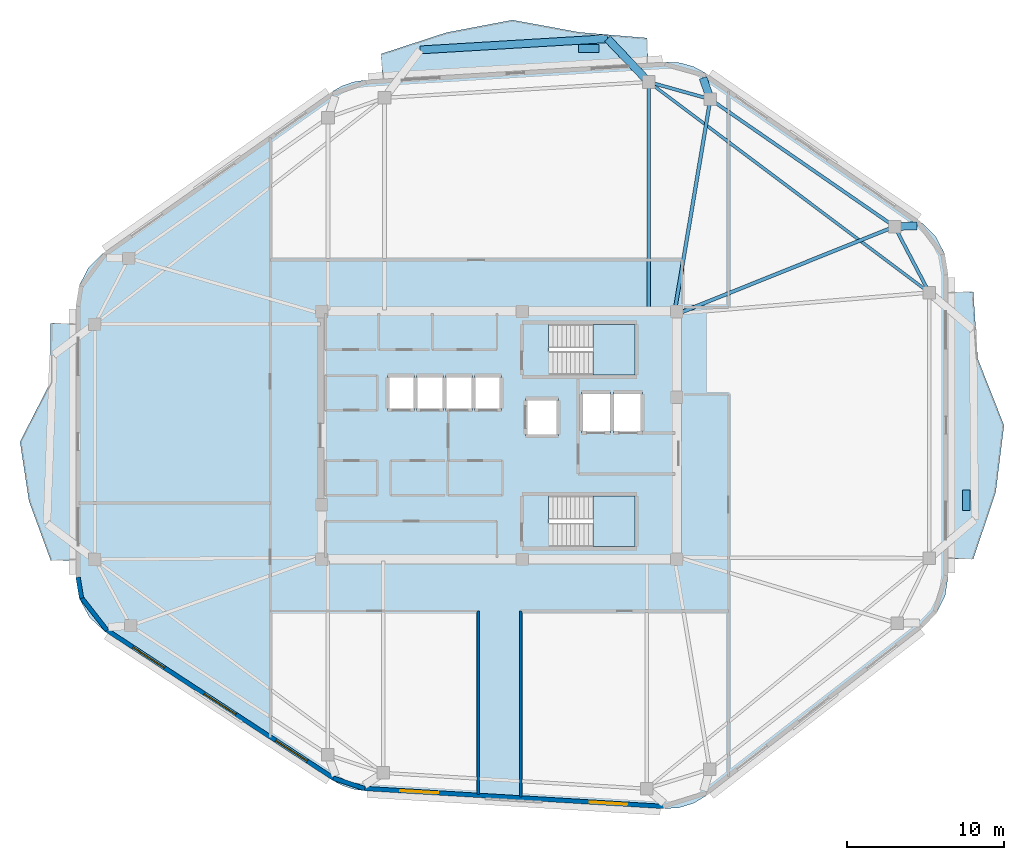
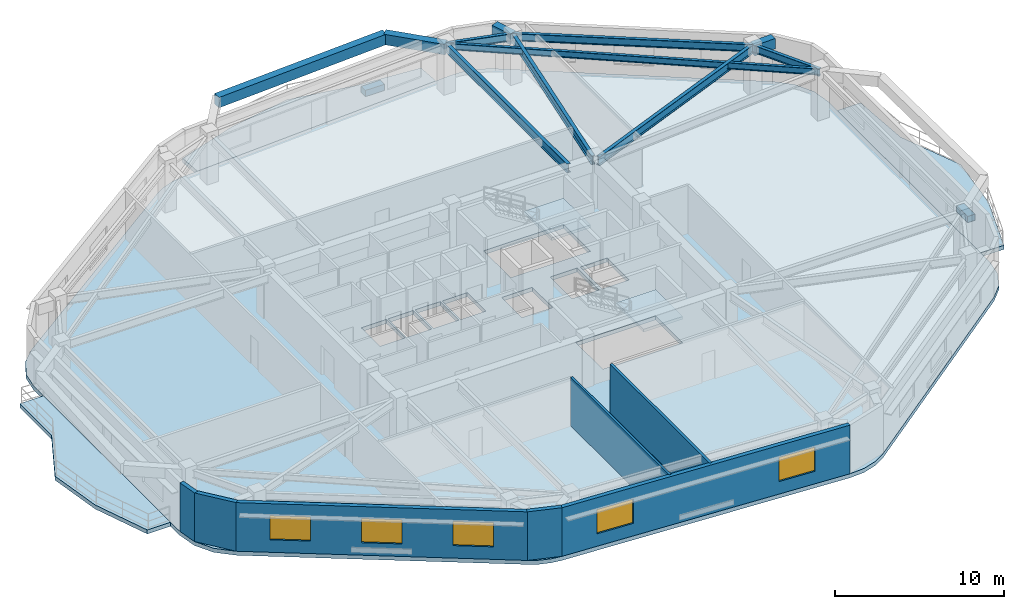
# One storey, part 2 of 9: 11 beams, 7 walls, 6 slabs, 5 windows, 2 plates, 5 openings, 2 elements without a shape of their own.
"""IFC4 building model written with IfcOpenShell, lengths in metres."""

from ifc_helpers import new_model, si_unit, direction, frame, frame_2d, origin, origin_2d, place, context, subcontext, project, spatial, polyline, rectangle, i_section, outline, extrude, material, layer, layer_set, material_profile, profile_set, type_object, element, fill, aggregate, save


model = new_model("IFC4")

# Units and contexts
model_context = context("Model", 3, precision=1e-05, world=origin(), true_north=direction((0.0, 1.0)))
body_context = subcontext(model_context, "Body", "Model", "MODEL_VIEW")
ifc_project = project(units=[si_unit("LENGTHUNIT", "METRE"), si_unit("AREAUNIT", "SQUARE_METRE"), si_unit("VOLUMEUNIT", "CUBIC_METRE"), si_unit("PLANEANGLEUNIT", "RADIAN"), si_unit("MASSUNIT", "GRAM", prefix="KILO")], contexts=[model_context])

# Site, building, storey
site_placement = place(None, origin())
site = spatial("IfcSite", under=ifc_project, at=site_placement, CompositionType="ELEMENT")
building_placement = place(site_placement, origin())
building = spatial("IfcBuilding", under=site, at=building_placement, Name="Zulverin Broadcast Headquarters", CompositionType="ELEMENT")
storey_placement = place(building_placement, frame((0.0, 0.0, 244.0)))
storey = spatial("IfcBuildingStorey", under=building, at=storey_placement, Name="L62", CompositionType="ELEMENT", Elevation=244.0)

# Beams
ifc_material_1 = material(Name="Concrete C40/50", Category="concrete")
ifc_material_profile_1 = material_profile(ifc_material_1, rectangle(XDim=0.5, YDim=0.75, at=origin_2d()), Name="Concrete C40/50", Category="concrete")
ifc_profile_set_1 = profile_set([ifc_material_profile_1], Name="Concrete C40/50")
beam_type_1 = type_object("IfcBeamType", Name="BM-RC-500x750", PredefinedType="BEAM", material=ifc_profile_set_1)
for number, where, z_axis, x_axis, name in (
    (1, (62.102783203125, 38.465087890625, 3.135009765625), (0.99949018153, 0.031927684309, 0.0), (-0.031927684309, 0.99949018153, 0.0), "L63 Plate Overhang Back-Spanned Beam OVR-07"),
    (2, (50.39794921875, 46.554443359375, 3.135009765625), (-0.323542873341, 0.946213511376, 0.0), (-0.946213511376, -0.323542873341, 0.0), "L63 Plate Overhang Back-Spanned Beam OVR-08"),
):
    element("IfcBeam", number, at=place(storey_placement, frame(where, z_axis=z_axis, x_axis=x_axis)), inside=storey, type_object=beam_type_1, Name=name, PredefinedType="BEAM", context=body_context, shape_type="SweptSolid", body=[
        extrude(rectangle(XDim=0.5, YDim=0.75, at=origin_2d()), origin(), (0.0, 0.0, 1.0), 1.429931640625),
    ])
beam_1_placement = place(storey_placement, frame((46.4814453125, 47.6484375, 3.135009765625), z_axis=(-0.689382393643, 0.724397622397, 0.0), x_axis=(-0.724397622397, -0.689382393643, 0.0)))
element("IfcBeam", 3, at=beam_1_placement, inside=storey, type_object=beam_type_1, Name="L63 Balcony Column-Framed Cantilever BAL_N-1", PredefinedType="BEAM", context=body_context, shape_type="SweptSolid", body=[
    extrude(rectangle(XDim=0.5, YDim=0.75, at=origin_2d()), origin(), (0.0, 0.0, 1.0), 3.800048828125),
])
beam_2_placement = place(storey_placement, frame((43.86181640625, 50.401123046875, 3.135009765625), z_axis=(-0.998203619849, -0.059912714185, 0.0), x_axis=(0.059912714185, -0.998203619849, 0.0)))
element("IfcBeam", 4, at=beam_2_placement, inside=storey, type_object=beam_type_1, Name="L63 Balcony Outer Edge Trimmer Beam BAL_N", PredefinedType="BEAM", context=body_context, shape_type="SweptSolid", body=[
    extrude(rectangle(XDim=0.5, YDim=0.75, at=origin_2d()), origin(), (0.0, 0.0, 1.0), 11.9111328125),
])
ifc_material_2 = material(Name="Structural steel S355JR", Category="steel")
ifc_material_profile_2 = material_profile(ifc_material_2, i_section(OverallWidth=0.19287109375, OverallDepth=0.46728515625, WebThickness=0.011474609375, FlangeThickness=0.01953125, at=origin_2d()), Name="Structural steel S355JR", Category="steel")
ifc_profile_set_2 = profile_set([ifc_material_profile_2], Name="Structural steel S355JR")
beam_type_2 = type_object("IfcBeamType", Name="BM-UB-457", PredefinedType="JOIST", material=ifc_profile_set_2)
beam_3_placement = place(storey_placement, frame((64.300048828125, 34.275634765625, 3.2763671875), z_axis=(-0.799809280949, 0.600254207905, 0.0), x_axis=(-0.600254207905, -0.799809280949, 0.0)))
element("IfcBeam", 5, at=beam_3_placement, inside=storey, type_object=beam_type_2, Name="L62 Chordal Floor Joist J-02", PredefinedType="JOIST", context=body_context, shape_type="SweptSolid", body=[
    extrude(i_section(OverallWidth=0.19287109375, OverallDepth=0.46728515625, WebThickness=0.011474609375, FlangeThickness=0.01953125, at=origin_2d()), origin(), (0.0, 0.0, 1.0), 22.278564453125),
])
ifc_material_profile_3 = material_profile(ifc_material_2, i_section(OverallWidth=0.2119140625, OverallDepth=0.54443359375, WebThickness=0.0126953125, FlangeThickness=0.021240234375, at=origin_2d()), Name="Structural steel S355JR", Category="steel")
ifc_profile_set_3 = profile_set([ifc_material_profile_3], Name="Structural steel S355JR")
beam_type_3 = type_object("IfcBeamType", Name="BM-UB-533", PredefinedType="SPANDREL", material=ifc_profile_set_3)
beam_4_placement = place(storey_placement, frame((64.300048828125, 34.275634765625, 3.23779296875), z_axis=(-0.464469748171, 0.885588986513, 0.0), x_axis=(-0.885588986513, -0.464469748171, 0.0)))
element("IfcBeam", 6, at=beam_4_placement, inside=storey, type_object=beam_type_3, Name="L62 Perimeter Spandrel Beam SP-06", PredefinedType="SPANDREL", context=body_context, shape_type="SweptSolid", body=[
    extrude(i_section(OverallWidth=0.2119140625, OverallDepth=0.54443359375, WebThickness=0.0126953125, FlangeThickness=0.021240234375, at=origin_2d()), origin(), (0.0, 0.0, 1.0), 4.730712890625),
])
beam_5_placement = place(storey_placement, frame((62.102783203125, 38.465087890625, 3.23779296875), z_axis=(-0.822652126292, 0.568545054597, 0.0), x_axis=(-0.568545054597, -0.822652126292, 0.0)))
element("IfcBeam", 7, at=beam_5_placement, inside=storey, type_object=beam_type_3, Name="L62 Perimeter Spandrel Beam SP-07", PredefinedType="SPANDREL", context=body_context, shape_type="SweptSolid", body=[
    extrude(i_section(OverallWidth=0.2119140625, OverallDepth=0.54443359375, WebThickness=0.0126953125, FlangeThickness=0.021240234375, at=origin_2d()), origin(), (0.0, 0.0, 1.0), 14.228271484375),
])
beam_6_placement = place(storey_placement, frame((50.39794921875, 46.554443359375, 3.23779296875), z_axis=(-0.963131566005, 0.26903082828, 0.0), x_axis=(-0.26903082828, -0.963131566005, 0.0)))
element("IfcBeam", 8, at=beam_6_placement, inside=storey, type_object=beam_type_3, Name="L62 Perimeter Spandrel Beam SP-08", PredefinedType="SPANDREL", context=body_context, shape_type="SweptSolid", body=[
    extrude(i_section(OverallWidth=0.2119140625, OverallDepth=0.54443359375, WebThickness=0.0126953125, FlangeThickness=0.021240234375, at=origin_2d()), origin(), (0.0, 0.0, 1.0), 4.06640625),
])
ifc_material_profile_4 = material_profile(ifc_material_2, i_section(OverallWidth=0.230224609375, OverallDepth=0.6171875, WebThickness=0.01318359375, FlangeThickness=0.022216796875, at=origin_2d()), Name="Structural steel S355JR", Category="steel")
ifc_profile_set_4 = profile_set([ifc_material_profile_4], Name="Structural steel S355JR")
beam_type_4 = type_object("IfcBeamType", Name="BM-UB-610", PredefinedType="BEAM", material=ifc_profile_set_4)
beam_7_placement = place(storey_placement, frame((48.375, 32.949951171875, 3.201416015625), z_axis=(0.927915690744, 0.37279011638, 0.0), x_axis=(-0.37279011638, 0.927915690744, 0.0)))
element("IfcBeam", 9, at=beam_7_placement, inside=storey, type_object=beam_type_4, Name="L62 Radial Primary Floor Beam RB-07", PredefinedType="BEAM", context=body_context, shape_type="SweptSolid", body=[
    extrude(i_section(OverallWidth=0.230224609375, OverallDepth=0.6171875, WebThickness=0.01318359375, FlangeThickness=0.022216796875, at=origin_2d()), origin(), (0.0, 0.0, 1.0), 14.794189453125),
])
beam_8_placement = place(storey_placement, frame((48.14990234375, 33.175048828125, 3.201416015625), z_axis=(0.165700339104, 0.986176149388, 0.0), x_axis=(-0.986176149388, 0.165700339104, 0.0)))
element("IfcBeam", 10, at=beam_8_placement, inside=storey, type_object=beam_type_4, Name="L62 Radial Primary Floor Beam RB-08", PredefinedType="BEAM", context=body_context, shape_type="SweptSolid", body=[
    extrude(i_section(OverallWidth=0.230224609375, OverallDepth=0.6171875, WebThickness=0.01318359375, FlangeThickness=0.022216796875, at=origin_2d()), origin(), (0.0, 0.0, 1.0), 13.56689453125),
])
beam_9_placement = place(storey_placement, frame((46.4814453125, 33.175048828125, 3.201416015625), z_axis=(0.0, 1.0, 0.0), x_axis=(-1.0, 0.0, 0.0)))
element("IfcBeam", 11, at=beam_9_placement, inside=storey, type_object=beam_type_4, Name="L62 Radial Primary Floor Beam RB-09", PredefinedType="BEAM", context=body_context, shape_type="SweptSolid", body=[
    extrude(i_section(OverallWidth=0.230224609375, OverallDepth=0.6171875, WebThickness=0.01318359375, FlangeThickness=0.022216796875, at=origin_2d()), origin(), (0.0, 0.0, 1.0), 14.473388671875),
])

# Plates
ifc_material_3 = material(Name="Precast concrete C45/55", Category="concrete")
ifc_layer_1 = layer(ifc_material_3, 0.449951171875, Name="Precast concrete C45/55", Category="concrete")
ifc_layer_set_1 = layer_set([ifc_layer_1], Name="Precast concrete C45/55")
plate_type = type_object("IfcPlateType", Name="PT-01_PRECAST_GFRC_TREE_PLANTER", PredefinedType="USERDEFINED", material=ifc_layer_set_1)
for number, where, z_axis, x_axis, name in (
    (12, (66.64990234375, 21.0908203125, -0.0048828125), (0.0, 0.0, 1.0), (0.0, 1.0, 0.0), "L62 Precast GFRC Tree Planter BAL_E"),
    (13, (42.6767578125, 49.7744140625, -0.0048828125), (0.0, 0.0, 1.0), (1.0, 0.0, 0.0), "L62 Precast GFRC Tree Planter BAL_N"),
):
    element("IfcPlate", number, at=place(storey_placement, frame(where, z_axis=z_axis, x_axis=x_axis)), inside=storey, type_object=plate_type, Name=name, ObjectType="PLANTER", PredefinedType="USERDEFINED", context=body_context, shape_type="SweptSolid", body=[
        extrude(rectangle(XDim=1.300048828125, YDim=0.5, at=origin_2d()), origin(), (0.0, 0.0, 1.0), 0.449951171875),
    ])

# Slabs
ifc_layer_2 = layer(ifc_material_1, 0.2900390625, Name="Concrete C40/50", Category="concrete")
ifc_layer_set_2 = layer_set([ifc_layer_2], Name="Concrete C40/50")
slab_type_1 = type_object("IfcSlabType", Name="SLB-BAL-290", PredefinedType="FLOOR", material=ifc_layer_set_2)
slab_1_placement = place(storey_placement, frame((0.0, 0.0, -0.2900390625)))
element("IfcSlab", 14, at=slab_1_placement, inside=storey, type_object=slab_type_1, Name="L62 Cantilevered Planted Balcony Slab BAL_E", PredefinedType="FLOOR", context=body_context, shape_type="SweptSolid", body=[
    extrude(outline(polyline([(65.5, 34.32568359375), (65.5, 17.357666015625), (67.10009765625, 17.357666015625), (68.52392578125, 21.599609375), (69.050048828125, 25.841796875), (67.37744140625, 30.083740234375), (67.10009765625, 34.32568359375), (65.5, 34.32568359375)])), origin(), (0.0, 0.0, 1.0), 0.2900390625),
])
slab_2_placement = place(storey_placement, frame((0.0, 0.0, -0.2900390625)))
element("IfcSlab", 15, at=slab_2_placement, inside=storey, type_object=slab_type_1, Name="L62 Cantilevered Planted Balcony Slab BAL_N", PredefinedType="FLOOR", context=body_context, shape_type="SweptSolid", body=[
    extrude(outline(polyline([(29.5791015625, 47.835693359375), (46.45947265625, 48.849365234375), (46.363525390625, 50.4462890625), (42.106689453125, 50.804443359375), (37.824462890625, 51.58740234375), (33.636962890625, 50.789794921875), (29.483154296875, 49.43310546875), (29.5791015625, 47.835693359375)])), origin(), (0.0, 0.0, 1.0), 0.2900390625),
])
slab_3_placement = place(storey_placement, frame((0.0, 0.0, -0.2900390625)))
element("IfcSlab", 16, at=slab_3_placement, inside=storey, type_object=slab_type_1, Name="L62 Cantilevered Planted Balcony Slab BAL_W", PredefinedType="FLOOR", context=body_context, shape_type="SweptSolid", body=[
    extrude(outline(polyline([(10.10009765625, 17.2685546875), (10.10009765625, 32.3251953125), (8.5, 32.3251953125), (8.48193359375, 28.56103515625), (6.550048828125, 24.797119140625), (7.119384765625, 21.03271484375), (8.5, 17.2685546875), (10.10009765625, 17.2685546875)])), origin(), (0.0, 0.0, 1.0), 0.2900390625),
])

# Stair, slab
stair_type = type_object("IfcStairType", Name="ST-CORE-1500", PredefinedType="HALF_TURN_STAIR", material=ifc_material_1)
stair_1_placement = place(storey_placement, origin())
stair_1 = element("IfcStair", 17, at=stair_1_placement, inside=storey, type_object=stair_type, Name="L62 Core Exit Stair ST-1", PredefinedType="HALF_TURN_STAIR")
ifc_layer_3 = layer(ifc_material_1, 0.199951171875, Name="Concrete C40/50", Category="concrete")
ifc_layer_set_3 = layer_set([ifc_layer_3], Name="Concrete C40/50")
slab_type_2 = type_object("IfcSlabType", Name="SLB-ST-LND200", PredefinedType="LANDING", material=ifc_layer_set_3)
slab_4_placement = place(storey_placement, frame((0.0, 0.0, 1.699951171875)))
slab_4 = element("IfcSlab", 18, at=slab_4_placement, type_object=slab_type_2, Name="ST-1 landing 1", PredefinedType="LANDING", context=body_context, shape_type="SweptSolid", body=[
    extrude(outline(polyline([(42.929931640625, 29.050048828125), (45.60009765625, 29.050048828125), (45.60009765625, 32.25), (42.929931640625, 32.25), (42.929931640625, 29.050048828125)])), origin(), (0.0, 0.0, 1.0), 0.199951171875),
])
aggregate(stair_1, [slab_4])

stair_2_placement = place(storey_placement, origin())
stair_2 = element("IfcStair", 19, at=stair_2_placement, inside=storey, type_object=stair_type, Name="L62 Core Exit Stair ST-2", PredefinedType="HALF_TURN_STAIR")
slab_5_placement = place(storey_placement, frame((0.0, 0.0, 1.699951171875)))
slab_5 = element("IfcSlab", 20, at=slab_5_placement, type_object=slab_type_2, Name="ST-2 landing 1", PredefinedType="LANDING", context=body_context, shape_type="SweptSolid", body=[
    extrude(outline(polyline([(42.929931640625, 18.14990234375), (45.60009765625, 18.14990234375), (45.60009765625, 21.35009765625), (42.929931640625, 21.35009765625), (42.929931640625, 18.14990234375)])), origin(), (0.0, 0.0, 1.0), 0.199951171875),
])
aggregate(stair_2, [slab_5])

# Slab
ifc_layer_4 = layer(ifc_material_1, 0.2900390625, Name="Concrete C40/50", Category="concrete")
ifc_layer_set_4 = layer_set([ifc_layer_4], Name="Concrete C40/50")
slab_type_3 = type_object("IfcSlabType", Name="SLB-TWR-290", PredefinedType="FLOOR", material=ifc_layer_set_4)
slab_6_placement = place(storey_placement, frame((0.0, 0.0, -0.2900390625)))
element("IfcSlab", 21, at=slab_6_placement, inside=storey, type_object=slab_type_3, Name="L62 Main Structural Floor Slab", PredefinedType="FLOOR", context=body_context, shape_type="SweptSolid", body=[
    extrude(outline(polyline([(26.405029296875, 3.295166015625), (27.029296875, 2.96044921875), (27.70166015625, 2.738037109375), (28.402099609375, 2.634765625), (47.427490234375, 1.49267578125), (48.40869140625, 1.5517578125), (49.347412109375, 1.842529296875), (50.18994140625, 2.348388671875), (63.91650390625, 13.02099609375), (64.7685546875, 13.92041015625), (65.312744140625, 15.033203125), (65.5, 16.2578125), (65.5, 35.42578125), (65.289306640625, 36.723388671875), (64.6787109375, 37.887451171875), (63.73095703125, 38.798583984375), (50.13427734375, 48.1953125), (49.3359375, 48.625244140625), (48.462890625, 48.869140625), (47.557373046875, 48.915283203125), (28.48095703125, 47.77001953125), (27.73291015625, 47.655029296875), (27.0185546875, 47.404541015625), (26.362548828125, 47.027099609375), (11.8359375, 36.775146484375), (10.9052734375, 35.865478515625), (10.306396484375, 34.710205078125), (10.10009765625, 33.42529296875), (10.10009765625, 16.168701171875), (10.322021484375, 14.83740234375), (10.96435546875, 13.650390625), (11.957275390625, 12.736328125), (26.405029296875, 3.295166015625)]), holes=[polyline([(40.155029296875, 30.75), (40.130126953125, 30.75), (40.130126953125, 32.25), (45.60009765625, 32.25), (45.60009765625, 29.050048828125), (40.155029296875, 29.050048828125), (40.155029296875, 30.75)]), polyline([(40.155029296875, 19.85009765625), (40.130126953125, 19.85009765625), (40.130126953125, 21.35009765625), (45.60009765625, 21.35009765625), (45.60009765625, 18.14990234375), (40.155029296875, 18.14990234375), (40.155029296875, 19.85009765625)]), polyline([(29.89990234375, 26.800048828125), (31.6201171875, 26.800048828125), (31.6201171875, 29.0), (29.89990234375, 29.0), (29.89990234375, 26.800048828125)]), polyline([(31.739990234375, 26.800048828125), (33.4599609375, 26.800048828125), (33.4599609375, 29.0), (31.739990234375, 29.0), (31.739990234375, 26.800048828125)]), polyline([(33.580078125, 26.800048828125), (35.300048828125, 26.800048828125), (35.300048828125, 29.0), (33.580078125, 29.0), (33.580078125, 26.800048828125)]), polyline([(35.419921875, 26.800048828125), (37.139892578125, 26.800048828125), (37.139892578125, 29.0), (35.419921875, 29.0), (35.419921875, 26.800048828125)]), polyline([(42.199951171875, 25.35009765625), (44.050048828125, 25.35009765625), (44.050048828125, 27.949951171875), (42.199951171875, 27.949951171875), (42.199951171875, 25.35009765625)]), polyline([(44.25, 25.35009765625), (46.10009765625, 25.35009765625), (46.10009765625, 27.949951171875), (44.25, 27.949951171875), (44.25, 25.35009765625)]), polyline([(38.64990234375, 25.14990234375), (40.75, 25.14990234375), (40.75, 27.550048828125), (38.64990234375, 27.550048828125), (38.64990234375, 25.14990234375)])]), origin(), (0.0, 0.0, 1.0), 0.2900390625),
])

# Wall, openings, windows
ifc_material_4 = material(Name="Insulated pale-metal clad concrete spandrel C40/50", Category="concrete")
ifc_layer_5 = layer(ifc_material_4, 0.280029296875, Name="Insulated pale-metal clad concrete spandrel C40/50", Category="concrete")
ifc_layer_set_5 = layer_set([ifc_layer_5], Name="Insulated pale-metal clad concrete spandrel C40/50")
wall_type_1 = type_object("IfcWallType", Name="WL-EXT-280", PredefinedType="STANDARD", material=ifc_layer_set_5)
wall_1_placement = place(storey_placement, frame((28.41064453125, 2.7744140625, 0.0), z_axis=(0.0, 0.0, 1.0), x_axis=(0.998203068368, -0.059921901676, 0.0)))
wall_1 = element("IfcWall", 22, at=wall_1_placement, inside=storey, type_object=wall_type_1, Name="L62 Pale-Metal Clad Spandrel Wall 1", PredefinedType="STANDARD", context=body_context, shape_type="SweptSolid", body=[
    extrude(rectangle(XDim=19.0595703125, YDim=0.280029296875, at=frame_2d((9.52978515625, 0.0))), origin(), (0.0, 0.0, 1.0), 3.510009765625),
])
opening_1_placement = place(wall_1_placement, frame((2.309814453125, 0.0, 0.89990234375)))
opening_1 = element("IfcOpeningElement", 23, at=opening_1_placement, cuts=wall_1, Name="Opening W-L62-E11", PredefinedType="OPENING", context=body_context, shape_type="SweptSolid", body=[
    extrude(rectangle(XDim=2.39990234375, YDim=1.75, at=frame_2d((1.199951171875, 0.875))), frame((0.0, 0.14990234375, 0.0), z_axis=(0.0, -1.0, 0.0), x_axis=(1.0, 0.0, 0.0)), (0.0, 0.0, 1.0), 0.300048828125),
])
opening_2_placement = place(wall_1_placement, frame((14.349609375, 0.0, 0.89990234375)))
opening_2 = element("IfcOpeningElement", 24, at=opening_2_placement, cuts=wall_1, Name="Opening W-L62-E12", PredefinedType="OPENING", context=body_context, shape_type="SweptSolid", body=[
    extrude(rectangle(XDim=2.39990234375, YDim=1.75, at=frame_2d((1.199951171875, 0.875))), frame((0.0, 0.14990234375, 0.0), z_axis=(0.0, -1.0, 0.0), x_axis=(1.0, 0.0, 0.0)), (0.0, 0.0, 1.0), 0.300048828125),
])
ifc_material_5 = material(Name="Pale anodized aluminium frame with solar-control low-E double glazing", Category="aluminium")
window_type = type_object("IfcWindowType", Name="WIN-RIB-2400", PartitioningType="SINGLE_PANEL", PredefinedType="WINDOW", material=ifc_material_5)
window_1_placement = place(opening_1_placement, origin())
window_1 = element("IfcWindow", 25, at=window_1_placement, inside=storey, type_object=window_type, Name="L62 Ribbon Glazing Window 1 1", OverallHeight=1.75, OverallWidth=2.39990234375, PartitioningType="SINGLE_PANEL", PredefinedType="WINDOW", context=body_context, shape_type="SweptSolid", body=[
    extrude(rectangle(XDim=2.39990234375, YDim=1.75, at=frame_2d((1.199951171875, 0.875))), frame((0.0, 0.030029296875, 0.0), z_axis=(0.0, -1.0, 0.0), x_axis=(1.0, 0.0, 0.0)), (0.0, 0.0, 1.0), 0.06005859375),
])
fill(opening_1, window_1)
window_2_placement = place(opening_2_placement, origin())
window_2 = element("IfcWindow", 26, at=window_2_placement, inside=storey, type_object=window_type, Name="L62 Ribbon Glazing Window 1 2", OverallHeight=1.75, OverallWidth=2.39990234375, PartitioningType="SINGLE_PANEL", PredefinedType="WINDOW", context=body_context, shape_type="SweptSolid", body=[
    extrude(rectangle(XDim=2.39990234375, YDim=1.75, at=frame_2d((1.199951171875, 0.875))), frame((0.0, 0.030029296875, 0.0), z_axis=(0.0, -1.0, 0.0), x_axis=(1.0, 0.0, 0.0)), (0.0, 0.0, 1.0), 0.06005859375),
])
fill(opening_2, window_2)

wall_2_placement = place(storey_placement, frame((12.03369140625, 12.853515625, 0.0), z_axis=(0.0, 0.0, 1.0), x_axis=(0.837118352984, -0.547021812269, 0.0)))
wall_2 = element("IfcWall", 27, at=wall_2_placement, inside=storey, type_object=wall_type_1, Name="L62 Pale-Metal Clad Spandrel Wall 8", PredefinedType="STANDARD", context=body_context, shape_type="SweptSolid", body=[
    extrude(rectangle(XDim=17.25927734375, YDim=0.280029296875, at=frame_2d((8.629638671875, 0.0))), origin(), (0.0, 0.0, 1.0), 3.510009765625),
])
opening_3_placement = place(wall_2_placement, frame((2.010009765625, 0.0, 0.89990234375)))
opening_3 = element("IfcOpeningElement", 28, at=opening_3_placement, cuts=wall_2, Name="Opening W-L62-E81", PredefinedType="OPENING", context=body_context, shape_type="SweptSolid", body=[
    extrude(rectangle(XDim=2.39990234375, YDim=1.75, at=frame_2d((1.199951171875, 0.875))), frame((0.0, 0.14990234375, 0.0), z_axis=(0.0, -1.0, 0.0), x_axis=(1.0, 0.0, 0.0)), (0.0, 0.0, 1.0), 0.300048828125),
])
opening_4_placement = place(wall_2_placement, frame((7.4296875, 0.0, 0.89990234375)))
opening_4 = element("IfcOpeningElement", 29, at=opening_4_placement, cuts=wall_2, Name="Opening W-L62-E82", PredefinedType="OPENING", context=body_context, shape_type="SweptSolid", body=[
    extrude(rectangle(XDim=2.39990234375, YDim=1.75, at=frame_2d((1.199951171875, 0.875))), frame((0.0, 0.14990234375, 0.0), z_axis=(0.0, -1.0, 0.0), x_axis=(1.0, 0.0, 0.0)), (0.0, 0.0, 1.0), 0.300048828125),
])
opening_5_placement = place(wall_2_placement, frame((12.849365234375, 0.0, 0.89990234375)))
opening_5 = element("IfcOpeningElement", 30, at=opening_5_placement, cuts=wall_2, Name="Opening W-L62-E83", PredefinedType="OPENING", context=body_context, shape_type="SweptSolid", body=[
    extrude(rectangle(XDim=2.39990234375, YDim=1.75, at=frame_2d((1.199951171875, 0.875))), frame((0.0, 0.14990234375, 0.0), z_axis=(0.0, -1.0, 0.0), x_axis=(1.0, 0.0, 0.0)), (0.0, 0.0, 1.0), 0.300048828125),
])
window_3_placement = place(opening_3_placement, origin())
window_3 = element("IfcWindow", 31, at=window_3_placement, inside=storey, type_object=window_type, Name="L62 Ribbon Glazing Window 8 1", OverallHeight=1.75, OverallWidth=2.39990234375, PartitioningType="SINGLE_PANEL", PredefinedType="WINDOW", context=body_context, shape_type="SweptSolid", body=[
    extrude(rectangle(XDim=2.39990234375, YDim=1.75, at=frame_2d((1.199951171875, 0.875))), frame((0.0, 0.030029296875, 0.0), z_axis=(0.0, -1.0, 0.0), x_axis=(1.0, 0.0, 0.0)), (0.0, 0.0, 1.0), 0.06005859375),
])
fill(opening_3, window_3)
window_4_placement = place(opening_4_placement, origin())
window_4 = element("IfcWindow", 32, at=window_4_placement, inside=storey, type_object=window_type, Name="L62 Ribbon Glazing Window 8 2", OverallHeight=1.75, OverallWidth=2.39990234375, PartitioningType="SINGLE_PANEL", PredefinedType="WINDOW", context=body_context, shape_type="SweptSolid", body=[
    extrude(rectangle(XDim=2.39990234375, YDim=1.75, at=frame_2d((1.199951171875, 0.875))), frame((0.0, 0.030029296875, 0.0), z_axis=(0.0, -1.0, 0.0), x_axis=(1.0, 0.0, 0.0)), (0.0, 0.0, 1.0), 0.06005859375),
])
fill(opening_4, window_4)
window_5_placement = place(opening_5_placement, origin())
window_5 = element("IfcWindow", 33, at=window_5_placement, inside=storey, type_object=window_type, Name="L62 Ribbon Glazing Window 8 3", OverallHeight=1.75, OverallWidth=2.39990234375, PartitioningType="SINGLE_PANEL", PredefinedType="WINDOW", context=body_context, shape_type="SweptSolid", body=[
    extrude(rectangle(XDim=2.39990234375, YDim=1.75, at=frame_2d((1.199951171875, 0.875))), frame((0.0, 0.030029296875, 0.0), z_axis=(0.0, -1.0, 0.0), x_axis=(1.0, 0.0, 0.0)), (0.0, 0.0, 1.0), 0.06005859375),
])
fill(opening_5, window_5)

# Walls
wall_3_placement = place(storey_placement, frame((10.238037109375, 16.191650390625, 0.0), z_axis=(0.0, 0.0, 1.0), x_axis=(0.164604311367, -0.986359681191, 0.0)))
element("IfcWall", 34, at=wall_3_placement, inside=storey, type_object=wall_type_1, Name="L62 Wind-Shaped Corner Spandrel Wall 7-1", PredefinedType="STANDARD", context=body_context, shape_type="SweptSolid", body=[
    extrude(rectangle(XDim=1.349609375, YDim=0.280029296875, at=frame_2d((0.6748046875, 0.0))), origin(), (0.0, 0.0, 1.0), 3.510009765625),
])
wall_4_placement = place(storey_placement, frame((10.4326171875, 14.92333984375, 0.0), z_axis=(0.0, 0.0, 1.0), x_axis=(0.614181852676, -0.78916452774, 0.0)))
element("IfcWall", 35, at=wall_4_placement, inside=storey, type_object=wall_type_1, Name="L62 Wind-Shaped Corner Spandrel Wall 7-2", PredefinedType="STANDARD", context=body_context, shape_type="SweptSolid", body=[
    extrude(rectangle(XDim=2.662109375, YDim=0.280029296875, at=frame_2d((1.3310546875, 0.0))), origin(), (0.0, 0.0, 1.0), 3.510009765625),
])
wall_5_placement = place(storey_placement, frame((26.44921875, 3.427978515625, 0.0), z_axis=(0.0, 0.0, 1.0), x_axis=(0.949435039229, -0.313963542923, 0.0)))
element("IfcWall", 36, at=wall_5_placement, inside=storey, type_object=wall_type_1, Name="L62 Wind-Shaped Corner Spandrel Wall 8-1", PredefinedType="STANDARD", context=body_context, shape_type="SweptSolid", body=[
    extrude(rectangle(XDim=2.103515625, YDim=0.280029296875, at=frame_2d((1.0517578125, 0.0))), origin(), (0.0, 0.0, 1.0), 3.510009765625),
])
ifc_material_6 = material(Name="Fire-rated gypsum stud partition", Category="gypsum")
ifc_layer_6 = layer(ifc_material_6, 0.14990234375, Name="Fire-rated gypsum stud partition", Category="gypsum")
ifc_layer_set_6 = layer_set([ifc_layer_6], Name="Fire-rated gypsum stud partition")
wall_type_2 = type_object("IfcWallType", Name="WL-PART-150", PredefinedType="PARTITIONING", material=ifc_layer_set_6)
wall_6_placement = place(storey_placement, frame((35.64990234375, 2.40478515625, 0.0), z_axis=(0.0, 0.0, 1.0), x_axis=(0.0, 1.0, 0.0)))
element("IfcWall", 37, at=wall_6_placement, inside=storey, type_object=wall_type_2, Name="L62 Gallery Partition Wall CG-05", PredefinedType="PARTITIONING", context=body_context, shape_type="SweptSolid", body=[
    extrude(rectangle(XDim=11.645263671875, YDim=0.14990234375, at=frame_2d((5.82275390625, 0.0))), origin(), (0.0, 0.0, 1.0), 3.510009765625),
])
ifc_material_7 = material(Name="Fire-rated acoustic stud wall", Category="gypsum")
ifc_layer_7 = layer(ifc_material_7, 0.175048828125, Name="Fire-rated acoustic stud wall", Category="gypsum")
ifc_layer_set_7 = layer_set([ifc_layer_7], Name="Fire-rated acoustic stud wall")
wall_type_3 = type_object("IfcWallType", Name="WL-PART-175", PredefinedType="PARTITIONING", material=ifc_layer_set_7)
wall_7_placement = place(storey_placement, frame((38.35009765625, 2.24267578125, 0.0), z_axis=(0.0, 0.0, 1.0), x_axis=(0.0, 1.0, 0.0)))
element("IfcWall", 38, at=wall_7_placement, inside=storey, type_object=wall_type_3, Name="L62 Gallery Partition Wall CG-04", PredefinedType="PARTITIONING", context=body_context, shape_type="SweptSolid", body=[
    extrude(rectangle(XDim=11.807373046875, YDim=0.175048828125, at=frame_2d((5.90380859375, 0.0))), origin(), (0.0, 0.0, 1.0), 3.510009765625),
])

save(model, "model.ifc")
